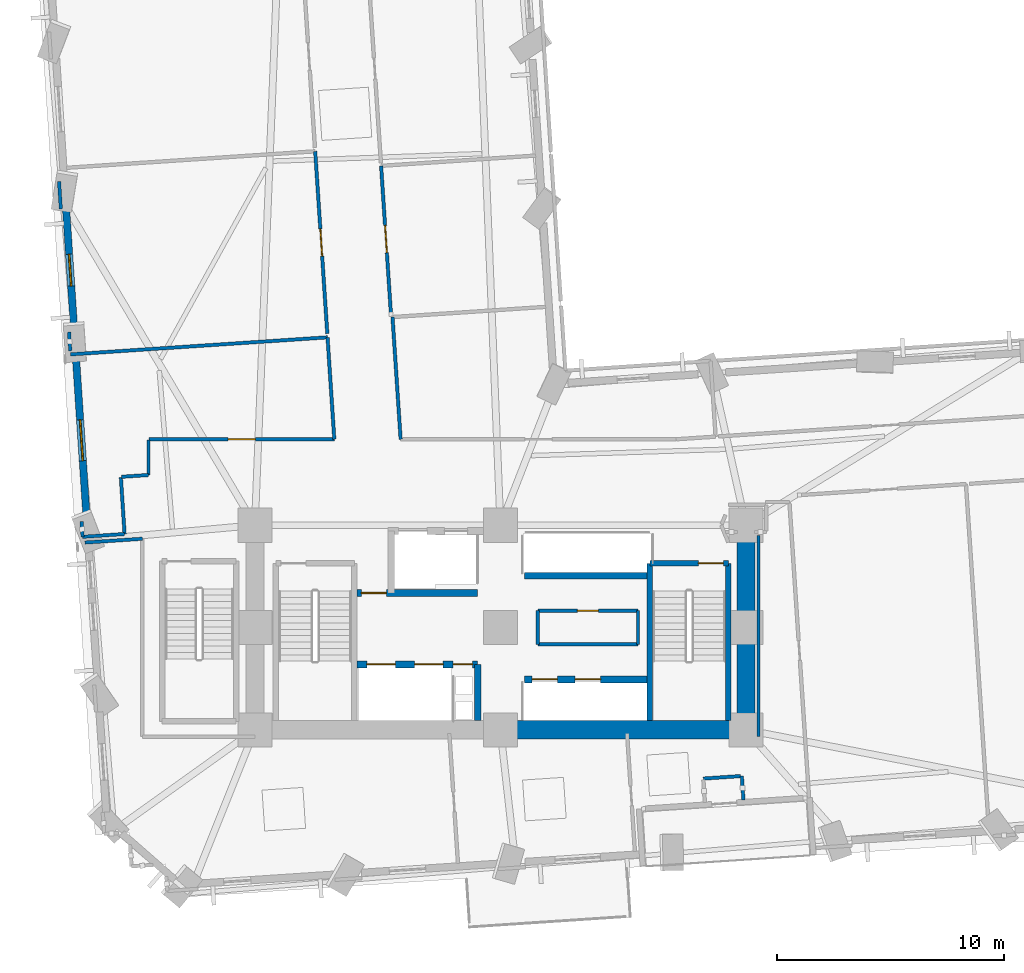
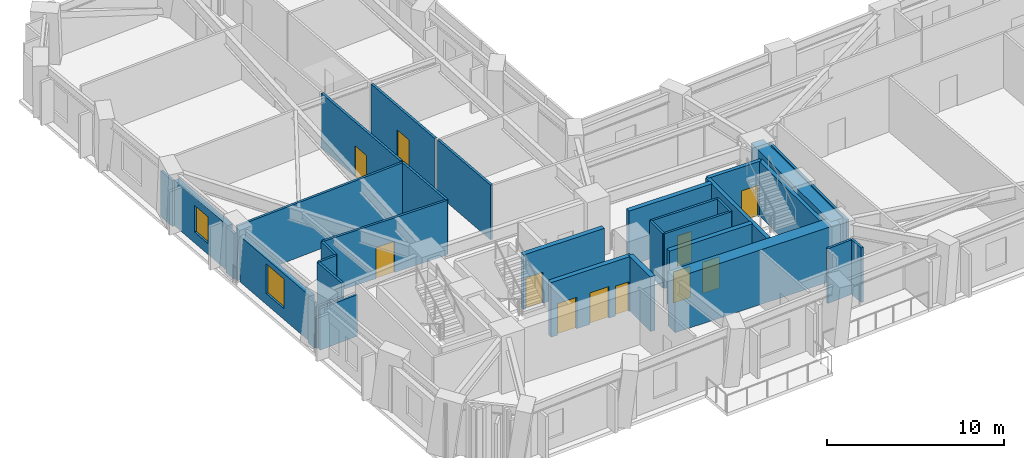
# One storey, part 7 of 14: 33 walls, 11 doors, 2 windows, 13 openings.
"""IFC4 building model written with IfcOpenShell, lengths in metres."""

import ifcopenshell
import ifcopenshell.guid

model = None  # the IFC model being written
_history = None  # IfcOwnerHistory: only IFC2X3 demands one
_inside = {}  # id of a spatial element -> (the spatial element, [elements in it])
_under = {}  # id of a project, library or spatial element -> (it, [spatial elements below it])
_declared = {}  # id of a project -> (the project, [libraries it declares])
_typed = {}  # id of a type object -> (the type object, [elements of that type])
_made_of = {}  # id of a material, layer set ... -> (it, [elements and type objects made of it])


def new_model(schema):
    """Start an empty IFC model of exactly this schema.

    Asked for "IFC4X3", IfcOpenShell would pick the latest addendum, in which some entities
    have other attributes; the version numbers below select the first issue.
    IFC2X3 requires an IfcOwnerHistory on every rooted entity: one is made here for all.
    """
    global model, _history
    if schema == "IFC4X3":
        model = ifcopenshell.file(schema_version=(4, 3, 0, 0))
    else:
        model = ifcopenshell.file(schema=schema)
    _inside.clear()
    _under.clear()
    _declared.clear()
    _typed.clear()
    _made_of.clear()
    _history = None
    if model.schema == "IFC2X3":
        org = make("IfcOrganization", Name="unknown")
        user = make(
            "IfcPersonAndOrganization",
            ThePerson=make("IfcPerson", FamilyName="unknown"),
            TheOrganization=org,
        )
        app = make(
            "IfcApplication",
            ApplicationDeveloper=org,
            Version="unknown",
            ApplicationFullName="unknown",
            ApplicationIdentifier="unknown",
        )
        _history = make(
            "IfcOwnerHistory",
            OwningUser=user,
            OwningApplication=app,
            ChangeAction="ADDED",
            CreationDate=0,
        )
    return model


def make(cls, **values):
    """One entity of the class cls with the attributes given. An attribute that is None is left unset."""
    return model.create_entity(
        cls, **{name: value for name, value in values.items() if value is not None}
    )


def rooted(cls, **values):
    """An entity with a GlobalId (a new one), such as an element, a storey or a relation."""
    return make(cls, GlobalId=ifcopenshell.guid.new(), OwnerHistory=_history, **values)


def si_unit(unit_type, name, prefix=None):
    """IfcSIUnit, for example si_unit("LENGTHUNIT", "METRE", prefix="MILLI")."""
    return make("IfcSIUnit", UnitType=unit_type, Prefix=prefix, Name=name)


def assignment(units):
    """IfcUnitAssignment: the units of a project."""
    return None if units is None else make("IfcUnitAssignment", Units=units)


def point(xyz):
    """IfcCartesianPoint."""
    return None if xyz is None else make("IfcCartesianPoint", Coordinates=xyz)


def direction(xyz):
    """IfcDirection."""
    return None if xyz is None else make("IfcDirection", DirectionRatios=xyz)


def frame(location, z_axis=None, x_axis=None):
    """IfcAxis2Placement3D, a coordinate frame: its origin and axes. An axis left out is left unset."""
    return make(
        "IfcAxis2Placement3D",
        Location=point(location),
        Axis=direction(z_axis),
        RefDirection=direction(x_axis),
    )


def frame_2d(location, x_axis=None):
    """IfcAxis2Placement2D, a coordinate frame in the plane: its origin and x axis."""
    return make(
        "IfcAxis2Placement2D", Location=point(location), RefDirection=direction(x_axis)
    )


def origin():
    """The frame at (0, 0, 0) with its axes left unset."""
    return frame((0.0, 0.0, 0.0))


def place(relative_to, where):
    """IfcLocalPlacement: puts the frame where relative to a parent placement (None: the world)."""
    return make(
        "IfcLocalPlacement", PlacementRelTo=relative_to, RelativePlacement=where
    )


def context(
    kind, dimensions, precision=None, world=None, true_north=None, identifier=None
):
    """IfcGeometricRepresentationContext, for example the 3D "Model" context."""
    return make(
        "IfcGeometricRepresentationContext",
        ContextIdentifier=identifier,
        ContextType=kind,
        CoordinateSpaceDimension=dimensions,
        Precision=precision,
        WorldCoordinateSystem=world,
        TrueNorth=true_north,
    )


def subcontext(parent, identifier, kind, view, scale=None):
    """IfcGeometricRepresentationSubContext, for example "Body" below "Model"."""
    return make(
        "IfcGeometricRepresentationSubContext",
        ContextIdentifier=identifier,
        ContextType=kind,
        ParentContext=parent,
        TargetScale=scale,
        TargetView=view,
    )


def project(units=None, contexts=None):
    """IfcProject with its units and contexts."""
    return rooted(
        "IfcProject",
        Name="project",
        RepresentationContexts=contexts,
        UnitsInContext=assignment(units),
    )


def spatial(cls, under=None, at=None, **own):
    """A site, building, storey or space (cls), placed at a placement, below another one or the project."""
    s = rooted(cls, ObjectPlacement=at, **own)
    if under is not None:
        _under.setdefault(under.id(), (under, []))[1].append(s)
    return s


def profile(cls, at=None, kind="AREA", **sizes):
    """A parametric profile (cls). Its sizes go by their IFC names, for example OverallWidth=200.0."""
    return make(cls, ProfileType=kind, Position=at, **sizes)


def rectangle(**sizes):
    """IfcRectangleProfileDef."""
    return profile("IfcRectangleProfileDef", **sizes)


def extrude(swept, where, along, depth):
    """IfcExtrudedAreaSolid: the profile swept, set in the frame where, extruded along a direction by depth."""
    return make(
        "IfcExtrudedAreaSolid",
        SweptArea=swept,
        Position=where,
        ExtrudedDirection=direction(along),
        Depth=depth,
    )


def shape(context_of_items, identifier, shape_type, items):
    """IfcShapeRepresentation: the items that make up one representation, for example the "Body"."""
    return make(
        "IfcShapeRepresentation",
        ContextOfItems=context_of_items,
        RepresentationIdentifier=identifier,
        RepresentationType=shape_type,
        Items=items,
    )


def material(Name=None, Category=None):
    """IfcMaterial."""
    return make("IfcMaterial", Name=Name, Category=Category)


def layer(
    of_material, thickness, ventilated=None, Name=None, Category=None, Priority=None
):
    """IfcMaterialLayer: one layer of a wall or slab, of a material (None: an air gap)."""
    return make(
        "IfcMaterialLayer",
        Material=of_material,
        LayerThickness=thickness,
        IsVentilated=ventilated,
        Name=Name,
        Category=Category,
        Priority=Priority,
    )


def layer_set(layers, Name=None):
    """IfcMaterialLayerSet."""
    return make("IfcMaterialLayerSet", MaterialLayers=layers, LayerSetName=Name)


def made_of(thing, what):
    """Note that an element or type object is made of a material, layer set ...; save() writes the relation."""
    if what is not None:
        _made_of.setdefault(what.id(), (what, []))[1].append(thing)
    return thing


def type_object(cls, material=None, **own):
    """A type object (cls), such as IfcWallType, which elements share."""
    return made_of(rooted(cls, **own), material)


def element(
    cls,
    number,
    at=None,
    inside=None,
    cuts=None,
    type_object=None,
    material=None,
    context=None,
    identifier="Body",
    shape_type=None,
    held_by="IfcProductDefinitionShape",
    body=None,
    shapes=None,
    **own,
):
    """One element of the class cls, such as IfcWall. Its Tag is "e" and its number.

    at: its placement. inside: the storey or other place that contains it. cuts: it is an
    opening in that element (IfcRelVoidsElement). A single representation is given by context,
    identifier, shape_type and body (its items); several are given by shapes. held_by: the class
    of the entity that holds the representations. save() writes the other relations.
    """
    e = rooted(cls, Tag="e%d" % number, ObjectPlacement=at, **own)
    if body is not None:
        shapes = [shape(context, identifier, shape_type, body)]
    if shapes is not None:
        e.Representation = make(held_by, Representations=shapes)
    if inside is not None:
        _inside.setdefault(inside.id(), (inside, []))[1].append(e)
    if cuts is not None:
        rooted(
            "IfcRelVoidsElement", RelatingBuildingElement=cuts, RelatedOpeningElement=e
        )
    if type_object is not None:
        _typed.setdefault(type_object.id(), (type_object, []))[1].append(e)
    return made_of(e, material)


def fill(opening, filler):
    """IfcRelFillsElement: the door or window that sits in an opening."""
    return rooted(
        "IfcRelFillsElement",
        RelatingOpeningElement=opening,
        RelatedBuildingElement=filler,
    )


def aggregate(whole, parts):
    """IfcRelAggregates: a whole, such as a stair, and the parts it consists of."""
    return rooted("IfcRelAggregates", RelatingObject=whole, RelatedObjects=parts)


def save(model, path):
    """Write the relations noted so far, then the file.

    IfcRelAggregates (storeys below a building ...), IfcRelContainedInSpatialStructure (elements
    in a storey), IfcRelDefinesByType, IfcRelAssociatesMaterial and IfcRelDeclares: one each for
    every whole, place, type object, material and project.
    """
    for whole, parts in _under.values():
        aggregate(whole, parts)
    for where, things in _inside.values():
        rooted(
            "IfcRelContainedInSpatialStructure",
            RelatedElements=things,
            RelatingStructure=where,
        )
    for kind, things in _typed.values():
        rooted("IfcRelDefinesByType", RelatedObjects=things, RelatingType=kind)
    for what, things in _made_of.values():
        rooted("IfcRelAssociatesMaterial", RelatedObjects=things, RelatingMaterial=what)
    for by, libraries in _declared.values():
        rooted("IfcRelDeclares", RelatingContext=by, RelatedDefinitions=libraries)
    model.write(path)


model = new_model("IFC4")

# Units and contexts
model_context = context("Model", 3, precision=1e-05, world=origin(), true_north=direction((0.0, 1.0)))
body_context = subcontext(model_context, "Body", "Model", "MODEL_VIEW")
ifc_project = project(units=[si_unit("LENGTHUNIT", "METRE"), si_unit("AREAUNIT", "SQUARE_METRE"), si_unit("VOLUMEUNIT", "CUBIC_METRE"), si_unit("PLANEANGLEUNIT", "RADIAN"), si_unit("MASSUNIT", "GRAM", prefix="KILO")], contexts=[model_context])

# Site, building, storey
site_placement = place(None, origin())
site = spatial("IfcSite", under=ifc_project, at=site_placement, CompositionType="ELEMENT")
building_placement = place(site_placement, origin())
building = spatial("IfcBuilding", under=site, at=building_placement, Name="Gaonmaruhae Medical Tower", CompositionType="ELEMENT")
storey_placement = place(building_placement, frame((0.0, 0.0, 39.0)))
storey = spatial("IfcBuildingStorey", under=building, at=storey_placement, Name="L08", CompositionType="ELEMENT", Elevation=39.0)

# Walls
ifc_material_1 = material(Name="Concrete C60/75", Category="concrete")
ifc_layer_1 = layer(ifc_material_1, 0.800048828125)
ifc_layer_set_1 = layer_set([ifc_layer_1], Name="Concrete C60/75")
wall_type_1 = type_object("IfcWallType", Name="CW-800 Lower Core Shear Wall", PredefinedType="SHEAR", material=ifc_layer_set_1)
wall_1_placement = place(storey_placement, frame((24.800048828125, 7.800048828125, 0.0), z_axis=(0.0, 0.0, 1.0), x_axis=(1.0, 0.0, 0.0)))
element("IfcWall", 1, at=wall_1_placement, inside=storey, type_object=wall_type_1, Name="L08 Core Shear Wall CSW-S2", PredefinedType="SHEAR", context=body_context, shape_type="SweptSolid", body=[
    extrude(rectangle(XDim=10.800048828125, YDim=0.800048828125, at=frame_2d((5.39990234375, 0.0))), origin(), (0.0, 0.0, 1.0), 3.780029296875),
])
wall_2_placement = place(storey_placement, frame((35.60009765625, 7.800048828125, 0.0), z_axis=(0.0, 0.0, 1.0), x_axis=(0.0, 1.0, 0.0)))
element("IfcWall", 2, at=wall_2_placement, inside=storey, type_object=wall_type_1, Name="L08 Core Shear Wall CSW-E1", PredefinedType="SHEAR", context=body_context, shape_type="SweptSolid", body=[
    extrude(rectangle(XDim=9.0, YDim=0.800048828125, at=frame_2d((4.5, 0.0))), origin(), (0.0, 0.0, 1.0), 3.780029296875),
])

# Wall, opening, window
ifc_material_2 = material(Name="Precast concrete C45/55", Category="concrete")
ifc_layer_2 = layer(ifc_material_2, 0.320068359375)
ifc_layer_set_2 = layer_set([ifc_layer_2], Name="Precast concrete C45/55")
wall_type_2 = type_object("IfcWallType", Name="EW-320 Lower Precast Masonry-Frame Facade Wall", PredefinedType="SOLIDWALL", material=ifc_layer_set_2)
wall_3_placement = place(storey_placement, frame((6.055908203125, 25.3056640625, 0.0), z_axis=(0.0, 0.0, 1.0), x_axis=(-0.066265726367, 0.997802011177, 0.0)))
wall_3 = element("IfcWall", 3, at=wall_3_placement, inside=storey, type_object=wall_type_2, Name="L08 Precast Masonry-Frame Wall W03-W04", PredefinedType="SOLIDWALL", context=body_context, shape_type="SweptSolid", body=[
    extrude(rectangle(XDim=5.43798828125, YDim=0.320068359375, at=frame_2d((2.718994140625, 0.0))), origin(), (0.0, 0.0, 1.0), 3.1650390625),
])
opening_1_placement = place(wall_3_placement, frame((2.01806640625, 0.0, 0.75)))
opening_1 = element("IfcOpeningElement", 4, at=opening_1_placement, cuts=wall_3, Name="Opening WN-03", PredefinedType="OPENING", context=body_context, shape_type="SweptSolid", body=[
    extrude(rectangle(XDim=1.39990234375, YDim=1.85009765625, at=frame_2d((0.699951171875, 0.925048828125))), frame((0.0, 0.169921875, 0.0), z_axis=(0.0, -1.0, 0.0), x_axis=(1.0, 0.0, 0.0)), (0.0, 0.0, 1.0), 0.340087890625),
])
ifc_material_3 = material(Name="Anodised aluminium and Low-E double glazing", Category="aluminium")
window_type_1 = type_object("IfcWindowType", Name="WN-03 Isolation Ward Punched Window 1400x1850", PartitioningType="SINGLE_PANEL", PredefinedType="WINDOW", material=ifc_material_3)
window_1_placement = place(opening_1_placement, origin())
window_1 = element("IfcWindow", 5, at=window_1_placement, inside=storey, type_object=window_type_1, Name="L08 Modular Facade Window W03", OverallHeight=1.85009765625, OverallWidth=1.39990234375, PartitioningType="SINGLE_PANEL", PredefinedType="WINDOW", context=body_context, shape_type="SweptSolid", body=[
    extrude(rectangle(XDim=1.39990234375, YDim=1.85009765625, at=frame_2d((0.699951171875, 0.925048828125))), frame((0.0, 0.030029296875, 0.0), z_axis=(0.0, -1.0, 0.0), x_axis=(1.0, 0.0, 0.0)), (0.0, 0.0, 1.0), 0.06005859375),
])
fill(opening_1, window_1)

wall_4_placement = place(storey_placement, frame((6.609375, 16.972412109375, 0.0), z_axis=(0.0, 0.0, 1.0), x_axis=(-0.066266966199, 0.997801928837, 0.0)))
wall_4 = element("IfcWall", 6, at=wall_4_placement, inside=storey, type_object=wall_type_2, Name="L08 Precast Masonry-Frame Wall W04-W05", PredefinedType="SOLIDWALL", context=body_context, shape_type="SweptSolid", body=[
    extrude(rectangle(XDim=7.13623046875, YDim=0.320068359375, at=frame_2d((3.568115234375, 0.0))), origin(), (0.0, 0.0, 1.0), 3.1650390625),
])
opening_2_placement = place(wall_4_placement, frame((2.668701171875, 0.0, 0.75)))
opening_2 = element("IfcOpeningElement", 7, at=opening_2_placement, cuts=wall_4, Name="Opening WN-04", PredefinedType="OPENING", context=body_context, shape_type="SweptSolid", body=[
    extrude(rectangle(XDim=1.800048828125, YDim=2.050048828125, at=frame_2d((0.89990234375, 1.02490234375))), frame((0.0, 0.169921875, 0.0), z_axis=(0.0, -1.0, 0.0), x_axis=(1.0, 0.0, 0.0)), (0.0, 0.0, 1.0), 0.340087890625),
])
window_type_2 = type_object("IfcWindowType", Name="WN-04 Clinic & Consult Punched Window 1800x2050", PartitioningType="SINGLE_PANEL", PredefinedType="WINDOW", material=ifc_material_3)
window_2_placement = place(opening_2_placement, origin())
window_2 = element("IfcWindow", 8, at=window_2_placement, inside=storey, type_object=window_type_2, Name="L08 Modular Facade Window W04", OverallHeight=2.050048828125, OverallWidth=1.800048828125, PartitioningType="SINGLE_PANEL", PredefinedType="WINDOW", context=body_context, shape_type="SweptSolid", body=[
    extrude(rectangle(XDim=1.800048828125, YDim=2.050048828125, at=frame_2d((0.89990234375, 1.02490234375))), frame((0.0, 0.030029296875, 0.0), z_axis=(0.0, -1.0, 0.0), x_axis=(1.0, 0.0, 0.0)), (0.0, 0.0, 1.0), 0.06005859375),
])
fill(opening_2, window_2)

# Wall
ifc_material_4 = material(Name="Gypsum board partition", Category="gypsum")
ifc_layer_3 = layer(ifc_material_4, 0.14990234375)
ifc_layer_set_3 = layer_set([ifc_layer_3], Name="Gypsum board partition")
wall_type_3 = type_object("IfcWallType", Name="PW-150 Rated Clinical Corridor Partition", PredefinedType="PARTITIONING", material=ifc_layer_set_3)
wall_5_placement = place(storey_placement, frame((26.449951171875, 11.56005859375, 0.0), z_axis=(0.0, 0.0, 1.0), x_axis=(0.0, 1.0, 0.0)))
element("IfcWall", 9, at=wall_5_placement, inside=storey, type_object=wall_type_3, Name="L08 Interior Partition L08-CS1-1", PredefinedType="PARTITIONING", context=body_context, shape_type="SweptSolid", body=[
    extrude(rectangle(XDim=1.47998046875, YDim=0.14990234375, at=frame_2d((0.739990234375, 0.0))), origin(), (0.0, 0.0, 1.0), 3.780029296875),
])

# Wall, opening, door
wall_6_placement = place(storey_placement, frame((26.449951171875, 13.0400390625, 0.0), z_axis=(0.0, 0.0, 1.0), x_axis=(1.0, 0.0, 0.0)))
wall_6 = element("IfcWall", 10, at=wall_6_placement, inside=storey, type_object=wall_type_3, Name="L08 Interior Partition L08-CS1-2", PredefinedType="PARTITIONING", context=body_context, shape_type="SweptSolid", body=[
    extrude(rectangle(XDim=4.400146484375, YDim=0.14990234375, at=frame_2d((2.2001953125, 0.0))), origin(), (0.0, 0.0, 1.0), 3.780029296875),
])
opening_3_placement = place(wall_6_placement, frame((1.739990234375, 0.0, 0.0)))
opening_3 = element("IfcOpeningElement", 11, at=opening_3_placement, cuts=wall_6, Name="Opening UD-01", PredefinedType="OPENING", context=body_context, shape_type="SweptSolid", body=[
    extrude(rectangle(XDim=0.919921875, YDim=2.10009765625, at=frame_2d((0.4599609375, 1.050048828125))), frame((0.0, 0.0849609375, 0.0), z_axis=(0.0, -1.0, 0.0), x_axis=(1.0, 0.0, 0.0)), (0.0, 0.0, 1.0), 0.169921875),
])
ifc_material_5 = material(Name="Powder-coated steel utility door", Category="steel")
door_type_1 = type_object("IfcDoorType", Name="UD-01 Toilet, Utility & Housekeeping Door 920x2100", OperationType="NOTDEFINED", PredefinedType="DOOR", material=ifc_material_5)
door_1_placement = place(opening_3_placement, origin())
door_1 = element("IfcDoor", 12, at=door_1_placement, inside=storey, type_object=door_type_1, Name="L08 Clean Linen Utility Store Door", OperationType="SINGLE_SWING_LEFT", OverallHeight=2.10009765625, OverallWidth=0.919921875, PredefinedType="DOOR", context=body_context, shape_type="SweptSolid", body=[
    extrude(rectangle(XDim=0.919921875, YDim=2.10009765625, at=frame_2d((0.4599609375, 1.050048828125))), frame((0.0, 0.02490234375, 0.0), z_axis=(0.0, -1.0, 0.0), x_axis=(1.0, 0.0, 0.0)), (0.0, 0.0, 1.0), 0.050048828125),
])
fill(opening_3, door_1)

# Walls
wall_7_placement = place(storey_placement, frame((30.85009765625, 13.0400390625, 0.0), z_axis=(0.0, 0.0, 1.0), x_axis=(0.0, -1.0, 0.0)))
element("IfcWall", 13, at=wall_7_placement, inside=storey, type_object=wall_type_3, Name="L08 Interior Partition L08-CS1-3", PredefinedType="PARTITIONING", context=body_context, shape_type="SweptSolid", body=[
    extrude(rectangle(XDim=1.47998046875, YDim=0.14990234375, at=frame_2d((0.739990234375, 0.0))), origin(), (0.0, 0.0, 1.0), 3.780029296875),
])
wall_8_placement = place(storey_placement, frame((30.85009765625, 11.56005859375, 0.0), z_axis=(0.0, 0.0, 1.0), x_axis=(-1.0, 0.0, 0.0)))
element("IfcWall", 14, at=wall_8_placement, inside=storey, type_object=wall_type_3, Name="L08 Interior Partition L08-CS1-4", PredefinedType="PARTITIONING", context=body_context, shape_type="SweptSolid", body=[
    extrude(rectangle(XDim=4.400146484375, YDim=0.14990234375, at=frame_2d((2.2001953125, 0.0))), origin(), (0.0, 0.0, 1.0), 3.780029296875),
])
wall_9_placement = place(storey_placement, frame((6.52099609375, 16.035888671875, 0.0), z_axis=(0.0, 0.0, 1.0), x_axis=(0.997795374901, 0.066365577112, 0.0)))
element("IfcWall", 15, at=wall_9_placement, inside=storey, type_object=wall_type_3, Name="L08 Interior Partition L08-SUP01-15", PredefinedType="PARTITIONING", context=body_context, shape_type="SweptSolid", body=[
    extrude(rectangle(XDim=2.53466796875, YDim=0.14990234375, at=frame_2d((1.267333984375, 0.0))), origin(), (0.0, 0.0, 1.0), 2.864990234375),
])
wall_10_placement = place(storey_placement, frame((36.14990234375, 7.5, 0.0), z_axis=(0.0, 0.0, 1.0), x_axis=(0.0, 1.0, 0.0)))
element("IfcWall", 16, at=wall_10_placement, inside=storey, type_object=wall_type_3, Name="L08 Interior Partition L08-SUP04-20", PredefinedType="PARTITIONING", context=body_context, shape_type="SweptSolid", body=[
    extrude(rectangle(XDim=8.840087890625, YDim=0.14990234375, at=frame_2d((4.419921875, 0.0))), origin(), (0.0, 0.0, 1.0), 3.780029296875),
])
wall_11_placement = place(storey_placement, frame((35.488037109375, 4.716064453125, 0.0), z_axis=(0.0, 0.0, 1.0), x_axis=(-0.066396171677, 0.997793339518, 0.0)))
element("IfcWall", 17, at=wall_11_placement, inside=storey, type_object=wall_type_3, Name="L08 Interior Partition L08-SUP04-29", PredefinedType="PARTITIONING", context=body_context, shape_type="SweptSolid", body=[
    extrude(rectangle(XDim=1.055419921875, YDim=0.14990234375, at=frame_2d((0.52783203125, 0.0))), origin(), (0.0, 0.0, 1.0), 3.780029296875),
])
wall_12_placement = place(storey_placement, frame((35.367919921875, 5.76611328125, 0.0), z_axis=(0.0, 0.0, 1.0), x_axis=(-0.997770071027, -0.066744927623, 0.0)))
element("IfcWall", 18, at=wall_12_placement, inside=storey, type_object=wall_type_3, Name="L08 Interior Partition L08-SUP04-30", PredefinedType="PARTITIONING", context=body_context, shape_type="SweptSolid", body=[
    extrude(rectangle(XDim=1.649658203125, YDim=0.14990234375, at=frame_2d((0.82470703125, 0.0))), origin(), (0.0, 0.0, 1.0), 3.780029296875),
])
wall_13_placement = place(storey_placement, frame((9.320068359375, 20.550048828125, 0.0), z_axis=(0.0, 0.0, 1.0), x_axis=(0.0, -1.0, 0.0)))
element("IfcWall", 19, at=wall_13_placement, inside=storey, type_object=wall_type_3, Name="L08 Interior Partition L08-WOF08-43", PredefinedType="PARTITIONING", context=body_context, shape_type="SweptSolid", body=[
    extrude(rectangle(XDim=1.5419921875, YDim=0.14990234375, at=frame_2d((0.77099609375, 0.0))), origin(), (0.0, 0.0, 1.0), 3.780029296875),
])
wall_14_placement = place(storey_placement, frame((9.320068359375, 19.008056640625, 0.0), z_axis=(0.0, 0.0, 1.0), x_axis=(-0.997786973604, -0.066491768706, 0.0)))
element("IfcWall", 20, at=wall_14_placement, inside=storey, type_object=wall_type_3, Name="L08 Interior Partition L08-WOF08-44", PredefinedType="PARTITIONING", context=body_context, shape_type="SweptSolid", body=[
    extrude(rectangle(XDim=1.189697265625, YDim=0.14990234375, at=frame_2d((0.5947265625, 0.0))), origin(), (0.0, 0.0, 1.0), 3.780029296875),
])
wall_15_placement = place(storey_placement, frame((8.10595703125, 18.906005859375, 0.0), z_axis=(0.0, 0.0, 1.0), x_axis=(0.065669322097, -0.997841440378, 0.0)))
element("IfcWall", 21, at=wall_15_placement, inside=storey, type_object=wall_type_3, Name="L08 Interior Partition L08-WOF08-45", PredefinedType="PARTITIONING", context=body_context, shape_type="SweptSolid", body=[
    extrude(rectangle(XDim=2.498291015625, YDim=0.14990234375, at=frame_2d((1.2490234375, 0.0))), origin(), (0.0, 0.0, 1.0), 3.780029296875),
])
wall_16_placement = place(storey_placement, frame((8.27001953125, 16.4130859375, 0.0), z_axis=(0.0, 0.0, 1.0), x_axis=(-0.997785741733, -0.066510251797, 0.0)))
element("IfcWall", 22, at=wall_16_placement, inside=storey, type_object=wall_type_3, Name="L08 Interior Partition L08-WOF08-46", PredefinedType="PARTITIONING", context=body_context, shape_type="SweptSolid", body=[
    extrude(rectangle(XDim=1.85009765625, YDim=0.14990234375, at=frame_2d((0.925048828125, 0.0))), origin(), (0.0, 0.0, 1.0), 2.864990234375),
])
wall_17_placement = place(storey_placement, frame((6.424072265625, 16.2900390625, 0.0), z_axis=(0.0, 0.0, 1.0), x_axis=(-0.066106907325, 0.997812545924, 0.0)))
element("IfcWall", 23, at=wall_17_placement, inside=storey, type_object=wall_type_3, Name="L08 Interior Partition L08-WOF08-47", PredefinedType="PARTITIONING", context=body_context, shape_type="SweptSolid", body=[
    extrude(rectangle(XDim=0.66845703125, YDim=0.14990234375, at=frame_2d((0.334228515625, 0.0))), origin(), (0.0, 0.0, 1.0), 3.1650390625),
])
wall_18_placement = place(storey_placement, frame((5.89111328125, 24.31298828125, 0.0), z_axis=(0.0, 0.0, 1.0), x_axis=(0.997806559187, 0.066197208721, 0.0)))
element("IfcWall", 24, at=wall_18_placement, inside=storey, type_object=wall_type_3, Name="L08 Interior Partition L08-WOF08-48", PredefinedType="PARTITIONING", context=body_context, shape_type="SweptSolid", body=[
    extrude(rectangle(XDim=11.329833984375, YDim=0.14990234375, at=frame_2d((5.6650390625, 0.0))), origin(), (0.0, 0.0, 1.0), 3.780029296875),
])
wall_19_placement = place(storey_placement, frame((17.196044921875, 25.06298828125, 0.0), z_axis=(0.0, 0.0, 1.0), x_axis=(0.066295395341, -0.997800040367, 0.0)))
element("IfcWall", 25, at=wall_19_placement, inside=storey, type_object=wall_type_3, Name="L08 Interior Partition L08-WOF08-49", PredefinedType="PARTITIONING", context=body_context, shape_type="SweptSolid", body=[
    extrude(rectangle(XDim=4.49267578125, YDim=0.14990234375, at=frame_2d((2.246337890625, 0.0))), origin(), (0.0, 0.0, 1.0), 3.780029296875),
])

# Wall, opening, door
wall_20_placement = place(storey_placement, frame((17.493896484375, 20.580078125, 0.0), z_axis=(0.0, 0.0, 1.0), x_axis=(-1.0, 0.0, 0.0)))
wall_20 = element("IfcWall", 26, at=wall_20_placement, inside=storey, type_object=wall_type_3, Name="L08 Interior Partition L08-WOF08-50", PredefinedType="PARTITIONING", context=body_context, shape_type="SweptSolid", body=[
    extrude(rectangle(XDim=8.14697265625, YDim=0.14990234375, at=frame_2d((4.073486328125, 0.0))), origin(), (0.0, 0.0, 1.0), 3.780029296875),
])
opening_4_placement = place(wall_20_placement, frame((3.473388671875, 0.0, 0.0)))
opening_4 = element("IfcOpeningElement", 27, at=opening_4_placement, cuts=wall_20, Name="Opening CD-02", PredefinedType="OPENING", context=body_context, shape_type="SweptSolid", body=[
    extrude(rectangle(XDim=1.199951171875, YDim=2.14990234375, at=frame_2d((0.60009765625, 1.074951171875))), frame((0.0, 0.0849609375, 0.0), z_axis=(0.0, -1.0, 0.0), x_axis=(1.0, 0.0, 0.0)), (0.0, 0.0, 1.0), 0.169921875),
])
ifc_material_6 = material(Name="Antimicrobial laminate timber fire door", Category="wood")
door_type_2 = type_object("IfcDoorType", Name="CD-02 Clinical Treatment & Procedure Door 1200x2150", OperationType="NOTDEFINED", PredefinedType="DOOR", material=ifc_material_6)
door_2_placement = place(opening_4_placement, origin())
door_2 = element("IfcDoor", 28, at=door_2_placement, inside=storey, type_object=door_type_2, Name="L08 Ward Physician Reporting Office Door", OperationType="SINGLE_SWING_LEFT", OverallHeight=2.14990234375, OverallWidth=1.199951171875, PredefinedType="DOOR", context=body_context, shape_type="SweptSolid", body=[
    extrude(rectangle(XDim=1.199951171875, YDim=2.14990234375, at=frame_2d((0.60009765625, 1.074951171875))), frame((0.0, 0.02490234375, 0.0), z_axis=(0.0, -1.0, 0.0), x_axis=(1.0, 0.0, 0.0)), (0.0, 0.0, 1.0), 0.050048828125),
])
fill(opening_4, door_2)

wall_21_placement = place(storey_placement, frame((16.653076171875, 33.2451171875, 0.0), z_axis=(0.0, 0.0, 1.0), x_axis=(0.066289247384, -0.997800448828, 0.0)))
wall_21 = element("IfcWall", 29, at=wall_21_placement, inside=storey, type_object=wall_type_3, Name="L08 Interior Partition L08-WOF09-52", PredefinedType="PARTITIONING", context=body_context, shape_type="SweptSolid", body=[
    extrude(rectangle(XDim=8.039794921875, YDim=0.14990234375, at=frame_2d((4.02001953125, 0.0))), origin(), (0.0, 0.0, 1.0), 3.780029296875),
])
opening_5_placement = place(wall_21_placement, frame((3.419921875, 0.0, 0.0)))
opening_5 = element("IfcOpeningElement", 30, at=opening_5_placement, cuts=wall_21, Name="Opening CD-02", PredefinedType="OPENING", context=body_context, shape_type="SweptSolid", body=[
    extrude(rectangle(XDim=1.199951171875, YDim=2.14990234375, at=frame_2d((0.60009765625, 1.074951171875))), frame((0.0, 0.0849609375, 0.0), z_axis=(0.0, -1.0, 0.0), x_axis=(1.0, 0.0, 0.0)), (0.0, 0.0, 1.0), 0.169921875),
])
door_3_placement = place(opening_5_placement, origin())
door_3 = element("IfcDoor", 31, at=door_3_placement, inside=storey, type_object=door_type_2, Name="L08 Ward Physician Reporting Office Door", OperationType="SINGLE_SWING_RIGHT", OverallHeight=2.14990234375, OverallWidth=1.199951171875, PredefinedType="DOOR", context=body_context, shape_type="SweptSolid", body=[
    extrude(rectangle(XDim=1.199951171875, YDim=2.14990234375, at=frame_2d((0.60009765625, 1.074951171875))), frame((0.0, 0.02490234375, 0.0), z_axis=(0.0, -1.0, 0.0), x_axis=(1.0, 0.0, 0.0)), (0.0, 0.0, 1.0), 0.050048828125),
])
fill(opening_5, door_3)

# Walls
wall_22_placement = place(storey_placement, frame((5.881103515625, 24.471923828125, 0.0), z_axis=(0.0, 0.0, 1.0), x_axis=(-0.066103977406, 0.997812740032, 0.0)))
element("IfcWall", 32, at=wall_22_placement, inside=storey, type_object=wall_type_3, Name="L08 Interior Partition L08-WOF09-53", PredefinedType="PARTITIONING", context=body_context, shape_type="SweptSolid", body=[
    extrude(rectangle(XDim=0.81982421875, YDim=0.14990234375, at=frame_2d((0.409912109375, 0.0))), origin(), (0.0, 0.0, 1.0), 3.1650390625),
])
wall_23_placement = place(storey_placement, frame((5.466064453125, 30.716064453125, 0.0), z_axis=(0.0, 0.0, 1.0), x_axis=(-0.066250887221, 0.997802996559, 0.0)))
element("IfcWall", 33, at=wall_23_placement, inside=storey, type_object=wall_type_3, Name="L08 Interior Partition L08-WOF09-54", PredefinedType="PARTITIONING", context=body_context, shape_type="SweptSolid", body=[
    extrude(rectangle(XDim=1.208740234375, YDim=0.14990234375, at=frame_2d((0.6044921875, 0.0))), origin(), (0.0, 0.0, 1.0), 3.1650390625),
])
wall_24_placement = place(storey_placement, frame((20.410888671875, 20.580078125, 0.0), z_axis=(0.0, 0.0, 1.0), x_axis=(-0.066260313675, 0.997802370628, 0.0)))
element("IfcWall", 34, at=wall_24_placement, inside=storey, type_object=wall_type_3, Name="L08 Interior Partition L08-IE01-72", PredefinedType="PARTITIONING", context=body_context, shape_type="SweptSolid", body=[
    extrude(rectangle(XDim=5.38671875, YDim=0.14990234375, at=frame_2d((2.693359375, 0.0))), origin(), (0.0, 0.0, 1.0), 3.780029296875),
])

# Wall, opening, door
wall_25_placement = place(storey_placement, frame((19.97998046875, 26.159912109375, 0.0), z_axis=(0.0, 0.0, 1.0), x_axis=(-0.066248114822, 0.997803180634, 0.0)))
wall_25 = element("IfcWall", 35, at=wall_25_placement, inside=storey, type_object=wall_type_3, Name="L08 Interior Partition L08-IN01-82", PredefinedType="PARTITIONING", context=body_context, shape_type="SweptSolid", body=[
    extrude(rectangle(XDim=6.460205078125, YDim=0.14990234375, at=frame_2d((3.22998046875, 0.0))), origin(), (0.0, 0.0, 1.0), 3.780029296875),
])
opening_6_placement = place(wall_25_placement, frame((2.630126953125, 0.0, 0.0)))
opening_6 = element("IfcOpeningElement", 36, at=opening_6_placement, cuts=wall_25, Name="Opening CD-02", PredefinedType="OPENING", context=body_context, shape_type="SweptSolid", body=[
    extrude(rectangle(XDim=1.199951171875, YDim=2.14990234375, at=frame_2d((0.60009765625, 1.074951171875))), frame((0.0, 0.0849609375, 0.0), z_axis=(0.0, -1.0, 0.0), x_axis=(1.0, 0.0, 0.0)), (0.0, 0.0, 1.0), 0.169921875),
])
door_4_placement = place(opening_6_placement, origin())
door_4 = element("IfcDoor", 37, at=door_4_placement, inside=storey, type_object=door_type_2, Name="L08 Physician Consultation Office Door", OperationType="SINGLE_SWING_LEFT", OverallHeight=2.14990234375, OverallWidth=1.199951171875, PredefinedType="DOOR", context=body_context, shape_type="SweptSolid", body=[
    extrude(rectangle(XDim=1.199951171875, YDim=2.14990234375, at=frame_2d((0.60009765625, 1.074951171875))), frame((0.0, 0.02490234375, 0.0), z_axis=(0.0, -1.0, 0.0), x_axis=(1.0, 0.0, 0.0)), (0.0, 0.0, 1.0), 0.050048828125),
])
fill(opening_6, door_4)

ifc_material_7 = material(Name="Concrete C50/60", Category="concrete")
ifc_layer_4 = layer(ifc_material_7, 0.239990234375)
ifc_layer_set_4 = layer_set([ifc_layer_4], Name="Concrete C50/60")
wall_type_4 = type_object("IfcWallType", Name="SW-240 Dogleg Stair Tight Shaft Wall", PredefinedType="SOLIDWALL", material=ifc_layer_set_4)
wall_26_placement = place(storey_placement, frame((31.3701171875, 15.1201171875, 0.0), z_axis=(0.0, 0.0, 1.0), x_axis=(1.0, 0.0, 0.0)))
wall_26 = element("IfcWall", 38, at=wall_26_placement, inside=storey, type_object=wall_type_4, Name="L08 ST-02 Stair Shaft Wall SHW-ST-02-N", PredefinedType="SOLIDWALL", context=body_context, shape_type="SweptSolid", body=[
    extrude(rectangle(XDim=3.4599609375, YDim=0.239990234375, at=frame_2d((1.72998046875, 0.0))), origin(), (0.0, 0.0, 1.0), 3.780029296875),
])
opening_7_placement = place(wall_26_placement, frame((2.139892578125, 0.0, 0.0)))
opening_7 = element("IfcOpeningElement", 39, at=opening_7_placement, cuts=wall_26, Name="Opening FD-01", PredefinedType="OPENING", context=body_context, shape_type="SweptSolid", body=[
    extrude(rectangle(XDim=1.10009765625, YDim=2.14990234375, at=frame_2d((0.550048828125, 1.074951171875))), frame((0.0, 0.1298828125, 0.0), z_axis=(0.0, -1.0, 0.0), x_axis=(1.0, 0.0, 0.0)), (0.0, 0.0, 1.0), 0.260009765625),
])
ifc_material_8 = material(Name="Powder-coated steel fire door", Category="steel")
door_type_3 = type_object("IfcDoorType", Name="FD-01 Escape Stair Protected Fire Door 1100x2150", OperationType="NOTDEFINED", PredefinedType="DOOR", material=ifc_material_8)
door_5_placement = place(opening_7_placement, origin())
door_5 = element("IfcDoor", 40, at=door_5_placement, inside=storey, type_object=door_type_3, Name="L08 ST-02 Protected Escape Stair Door", OperationType="SINGLE_SWING_LEFT", OverallHeight=2.14990234375, OverallWidth=1.10009765625, PredefinedType="DOOR", context=body_context, shape_type="SweptSolid", body=[
    extrude(rectangle(XDim=1.10009765625, YDim=2.14990234375, at=frame_2d((0.550048828125, 1.074951171875))), frame((0.0, 0.02490234375, 0.0), z_axis=(0.0, -1.0, 0.0), x_axis=(1.0, 0.0, 0.0)), (0.0, 0.0, 1.0), 0.050048828125),
])
fill(opening_7, door_5)

# Walls
for number, where, z_axis, x_axis, name in (
    (41, (34.830078125, 15.1201171875, 0.0), (0.0, 0.0, 1.0), (0.0, -1.0, 0.0), "L08 ST-02 Stair Shaft Wall SHW-ST-02-E"),
    (42, (31.3701171875, 8.199951171875, 0.0), (0.0, 0.0, 1.0), (0.0, 1.0, 0.0), "L08 ST-02 Stair Shaft Wall SHW-ST-02-W"),
):
    element("IfcWall", number, at=place(storey_placement, frame(where, z_axis=z_axis, x_axis=x_axis)), inside=storey, type_object=wall_type_4, Name=name, PredefinedType="SOLIDWALL", context=body_context, shape_type="SweptSolid", body=[
        extrude(rectangle(XDim=6.920166015625, YDim=0.239990234375, at=frame_2d((3.4599609375, 0.0))), origin(), (0.0, 0.0, 1.0), 3.780029296875),
    ])

# Wall, openings, doors
ifc_layer_5 = layer(ifc_material_7, 0.300048828125)
ifc_layer_set_5 = layer_set([ifc_layer_5], Name="Concrete C50/60")
wall_type_5 = type_object("IfcWallType", Name="SW-300 Stair & Lift Hoistway Shaft Wall", PredefinedType="SOLIDWALL", material=ifc_layer_set_5)
wall_27_placement = place(storey_placement, frame((18.5, 10.679931640625, 0.0), z_axis=(0.0, 0.0, 1.0), x_axis=(1.0, 0.0, 0.0)))
wall_27 = element("IfcWall", 43, at=wall_27_placement, inside=storey, type_object=wall_type_5, Name="L08 Shaft Enclosure Wall SHW-FFN", PredefinedType="SOLIDWALL", context=body_context, shape_type="SweptSolid", body=[
    extrude(rectangle(XDim=5.300048828125, YDim=0.300048828125, at=frame_2d((2.64990234375, 0.0))), origin(), (0.0, 0.0, 1.0), 3.780029296875),
])
opening_8_placement = place(wall_27_placement, frame((4.219970703125, 0.0, 0.0)))
opening_8 = element("IfcOpeningElement", 44, at=opening_8_placement, cuts=wall_27, Name="Opening AD-01", PredefinedType="OPENING", context=body_context, shape_type="SweptSolid", body=[
    extrude(rectangle(XDim=0.860107421875, YDim=2.06005859375, at=frame_2d((0.43017578125, 1.030029296875))), frame((0.0, 0.16015625, 0.0), z_axis=(0.0, -1.0, 0.0), x_axis=(1.0, 0.0, 0.0)), (0.0, 0.0, 1.0), 0.320068359375),
])
opening_9_placement = place(wall_27_placement, frame((0.425048828125, 0.0, 0.0)))
opening_9 = element("IfcOpeningElement", 45, at=opening_9_placement, cuts=wall_27, Name="Opening LD-F1", PredefinedType="OPENING", context=body_context, shape_type="SweptSolid", body=[
    extrude(rectangle(XDim=1.25, YDim=2.179931640625, at=frame_2d((0.625, 1.08984375))), frame((0.0, 0.16015625, 0.0), z_axis=(0.0, -1.0, 0.0), x_axis=(1.0, 0.0, 0.0)), (0.0, 0.0, 1.0), 0.320068359375),
])
opening_10_placement = place(wall_27_placement, frame((2.52490234375, 0.0, 0.0)))
opening_10 = element("IfcOpeningElement", 46, at=opening_10_placement, cuts=wall_27, Name="Opening LD-F1", PredefinedType="OPENING", context=body_context, shape_type="SweptSolid", body=[
    extrude(rectangle(XDim=1.25, YDim=2.179931640625, at=frame_2d((0.625, 1.08984375))), frame((0.0, 0.16015625, 0.0), z_axis=(0.0, -1.0, 0.0), x_axis=(1.0, 0.0, 0.0)), (0.0, 0.0, 1.0), 0.320068359375),
])
ifc_material_9 = material(Name="Powder-coated steel access door", Category="steel")
door_type_4 = type_object("IfcDoorType", Name="AD-01 Riser & Closet Access Fire Door 860x2060", OperationType="NOTDEFINED", PredefinedType="DOOR", material=ifc_material_9)
door_6_placement = place(opening_8_placement, origin())
door_6 = element("IfcDoor", 47, at=door_6_placement, inside=storey, type_object=door_type_4, Name="L08 Medical Gas and MEP Riser Access Door", OperationType="SINGLE_SWING_RIGHT", OverallHeight=2.06005859375, OverallWidth=0.860107421875, PredefinedType="DOOR", context=body_context, shape_type="SweptSolid", body=[
    extrude(rectangle(XDim=0.860107421875, YDim=2.06005859375, at=frame_2d((0.43017578125, 1.030029296875))), frame((0.0, 0.02490234375, 0.0), z_axis=(0.0, -1.0, 0.0), x_axis=(1.0, 0.0, 0.0)), (0.0, 0.0, 1.0), 0.050048828125),
])
fill(opening_8, door_6)
ifc_material_10 = material(Name="Brushed stainless steel 316L landing door", Category="steel")
door_type_5 = type_object("IfcDoorType", Name="LD-F1 Firefighting & Bed Lift Sliding Landing Door 1250x2180", OperationType="NOTDEFINED", PredefinedType="DOOR", material=ifc_material_10)
door_7_placement = place(opening_9_placement, origin())
door_7 = element("IfcDoor", 48, at=door_7_placement, inside=storey, type_object=door_type_5, Name="L08 Firefighting Lift Landing Door FFL-01", OperationType="DOUBLE_DOOR_SLIDING", OverallHeight=2.179931640625, OverallWidth=1.25, PredefinedType="DOOR", context=body_context, shape_type="SweptSolid", body=[
    extrude(rectangle(XDim=1.25, YDim=2.179931640625, at=frame_2d((0.625, 1.08984375))), frame((0.0, 0.02490234375, 0.0), z_axis=(0.0, -1.0, 0.0), x_axis=(1.0, 0.0, 0.0)), (0.0, 0.0, 1.0), 0.050048828125),
])
fill(opening_9, door_7)
door_8_placement = place(opening_10_placement, origin())
door_8 = element("IfcDoor", 49, at=door_8_placement, inside=storey, type_object=door_type_5, Name="L08 Firefighting Lift Landing Door FFL-02", OperationType="DOUBLE_DOOR_SLIDING", OverallHeight=2.179931640625, OverallWidth=1.25, PredefinedType="DOOR", context=body_context, shape_type="SweptSolid", body=[
    extrude(rectangle(XDim=1.25, YDim=2.179931640625, at=frame_2d((0.625, 1.08984375))), frame((0.0, 0.02490234375, 0.0), z_axis=(0.0, -1.0, 0.0), x_axis=(1.0, 0.0, 0.0)), (0.0, 0.0, 1.0), 0.050048828125),
])
fill(opening_10, door_8)

# Wall, opening, door
wall_28_placement = place(storey_placement, frame((18.5, 13.820068359375, 0.0), z_axis=(0.0, 0.0, 1.0), x_axis=(1.0, 0.0, 0.0)))
wall_28 = element("IfcWall", 50, at=wall_28_placement, inside=storey, type_object=wall_type_5, Name="L08 Shaft Enclosure Wall SHW-FFL", PredefinedType="SOLIDWALL", context=body_context, shape_type="SweptSolid", body=[
    extrude(rectangle(XDim=5.300048828125, YDim=0.300048828125, at=frame_2d((2.64990234375, 0.0))), origin(), (0.0, 0.0, 1.0), 3.780029296875),
])
opening_11_placement = place(wall_28_placement, frame((0.179931640625, 0.0, 0.0)))
opening_11 = element("IfcOpeningElement", 51, at=opening_11_placement, cuts=wall_28, Name="Opening FD-01", PredefinedType="OPENING", context=body_context, shape_type="SweptSolid", body=[
    extrude(rectangle(XDim=1.10009765625, YDim=2.14990234375, at=frame_2d((0.550048828125, 1.074951171875))), frame((0.0, 0.16015625, 0.0), z_axis=(0.0, -1.0, 0.0), x_axis=(1.0, 0.0, 0.0)), (0.0, 0.0, 1.0), 0.320068359375),
])
door_9_placement = place(opening_11_placement, origin())
door_9 = element("IfcDoor", 52, at=door_9_placement, inside=storey, type_object=door_type_3, Name="L08 Firefighting Lobby Smoke Door", OperationType="SINGLE_SWING_LEFT", OverallHeight=2.14990234375, OverallWidth=1.10009765625, PredefinedType="DOOR", context=body_context, shape_type="SweptSolid", body=[
    extrude(rectangle(XDim=1.10009765625, YDim=2.14990234375, at=frame_2d((0.550048828125, 1.074951171875))), frame((0.0, 0.02490234375, 0.0), z_axis=(0.0, -1.0, 0.0), x_axis=(1.0, 0.0, 0.0)), (0.0, 0.0, 1.0), 0.050048828125),
])
fill(opening_11, door_9)

# Wall
wall_29_placement = place(storey_placement, frame((23.800048828125, 8.199951171875, 0.0), z_axis=(0.0, 0.0, 1.0), x_axis=(0.0, 1.0, 0.0)))
element("IfcWall", 53, at=wall_29_placement, inside=storey, type_object=wall_type_5, Name="L08 Shaft Enclosure Wall SHW-FFE", PredefinedType="SOLIDWALL", context=body_context, shape_type="SweptSolid", body=[
    extrude(rectangle(XDim=2.47998046875, YDim=0.300048828125, at=frame_2d((1.239990234375, 0.0))), origin(), (0.0, 0.0, 1.0), 3.780029296875),
])

# Wall, openings, doors
wall_30_placement = place(storey_placement, frame((25.85009765625, 10.02001953125, 0.0), z_axis=(0.0, 0.0, 1.0), x_axis=(1.0, 0.0, 0.0)))
wall_30 = element("IfcWall", 54, at=wall_30_placement, inside=storey, type_object=wall_type_5, Name="L08 Shaft Enclosure Wall SHW-PLS", PredefinedType="SOLIDWALL", context=body_context, shape_type="SweptSolid", body=[
    extrude(rectangle(XDim=5.449951171875, YDim=0.300048828125, at=frame_2d((2.72509765625, 0.0))), origin(), (0.0, 0.0, 1.0), 3.780029296875),
])
opening_12_placement = place(wall_30_placement, frame((0.340087890625, 0.0, 0.0)))
opening_12 = element("IfcOpeningElement", 55, at=opening_12_placement, cuts=wall_30, Name="Opening LD-P1", PredefinedType="OPENING", context=body_context, shape_type="SweptSolid", body=[
    extrude(rectangle(XDim=1.1201171875, YDim=2.14990234375, at=frame_2d((0.56005859375, 1.074951171875))), frame((0.0, 0.16015625, 0.0), z_axis=(0.0, -1.0, 0.0), x_axis=(1.0, 0.0, 0.0)), (0.0, 0.0, 1.0), 0.320068359375),
])
opening_13_placement = place(wall_30_placement, frame((2.239990234375, 0.0, 0.0)))
opening_13 = element("IfcOpeningElement", 56, at=opening_13_placement, cuts=wall_30, Name="Opening LD-P1", PredefinedType="OPENING", context=body_context, shape_type="SweptSolid", body=[
    extrude(rectangle(XDim=1.1201171875, YDim=2.14990234375, at=frame_2d((0.56005859375, 1.074951171875))), frame((0.0, 0.16015625, 0.0), z_axis=(0.0, -1.0, 0.0), x_axis=(1.0, 0.0, 0.0)), (0.0, 0.0, 1.0), 0.320068359375),
])
ifc_material_11 = material(Name="Brushed stainless steel 304 landing door", Category="steel")
door_type_6 = type_object("IfcDoorType", Name="LD-P1 Passenger Lift Sliding Landing Door 1120x2150", OperationType="NOTDEFINED", PredefinedType="DOOR", material=ifc_material_11)
door_10_placement = place(opening_12_placement, origin())
door_10 = element("IfcDoor", 57, at=door_10_placement, inside=storey, type_object=door_type_6, Name="L08 Passenger Lift Landing Door PL-L1", OperationType="DOUBLE_DOOR_SLIDING", OverallHeight=2.14990234375, OverallWidth=1.1201171875, PredefinedType="DOOR", context=body_context, shape_type="SweptSolid", body=[
    extrude(rectangle(XDim=1.1201171875, YDim=2.14990234375, at=frame_2d((0.56005859375, 1.074951171875))), frame((0.0, 0.02490234375, 0.0), z_axis=(0.0, -1.0, 0.0), x_axis=(1.0, 0.0, 0.0)), (0.0, 0.0, 1.0), 0.050048828125),
])
fill(opening_12, door_10)
door_11_placement = place(opening_13_placement, origin())
door_11 = element("IfcDoor", 58, at=door_11_placement, inside=storey, type_object=door_type_6, Name="L08 Passenger Lift Landing Door PL-L2", OperationType="DOUBLE_DOOR_SLIDING", OverallHeight=2.14990234375, OverallWidth=1.1201171875, PredefinedType="DOOR", context=body_context, shape_type="SweptSolid", body=[
    extrude(rectangle(XDim=1.1201171875, YDim=2.14990234375, at=frame_2d((0.56005859375, 1.074951171875))), frame((0.0, 0.02490234375, 0.0), z_axis=(0.0, -1.0, 0.0), x_axis=(1.0, 0.0, 0.0)), (0.0, 0.0, 1.0), 0.050048828125),
])
fill(opening_13, door_11)

# Wall
wall_31_placement = place(storey_placement, frame((25.85009765625, 14.580078125, 0.0), z_axis=(0.0, 0.0, 1.0), x_axis=(1.0, 0.0, 0.0)))
element("IfcWall", 59, at=wall_31_placement, inside=storey, type_object=wall_type_5, Name="L08 Shaft Enclosure Wall SHW-PLN", PredefinedType="SOLIDWALL", context=body_context, shape_type="SweptSolid", body=[
    extrude(rectangle(XDim=5.449951171875, YDim=0.300048828125, at=frame_2d((2.72509765625, 0.0))), origin(), (0.0, 0.0, 1.0), 3.780029296875),
])

save(model, "model.ifc")
